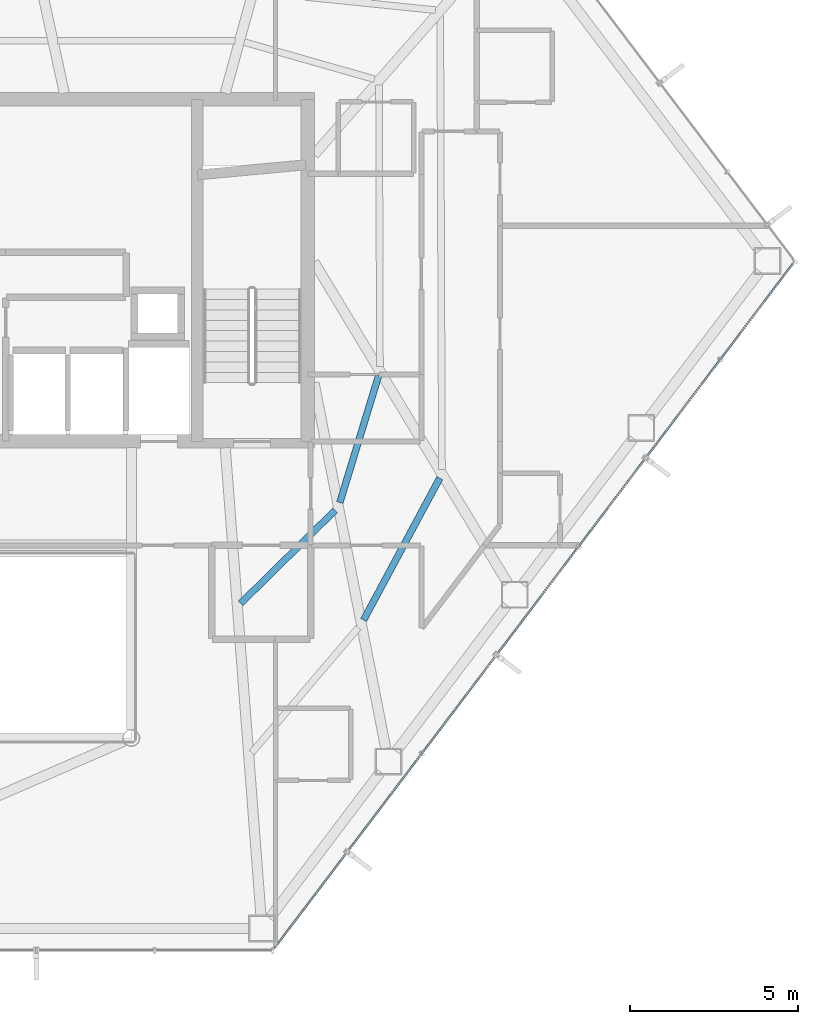
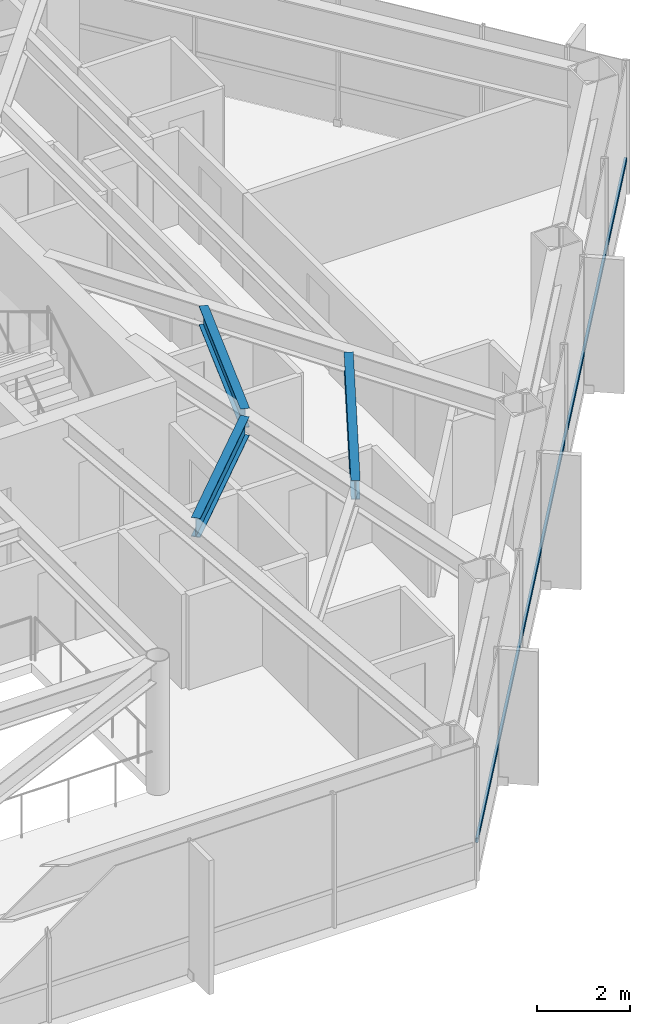
# One storey, part 18 of 28: 3 beams, 1 member, 1 element without a shape of its own.
"""IFC4 building model written with IfcOpenShell, lengths in metres."""

from ifc_helpers import new_model, si_unit, direction, frame, origin, origin_2d, place, context, subcontext, project, spatial, hollow_rectangle, i_section, extrude, material, layer, layer_set, material_profile, profile_set, type_object, element, aggregate, save


model = new_model("IFC4")

# Units and contexts
model_context = context("Model", 3, precision=1e-05, world=origin(), true_north=direction((0.0, 1.0)))
body_context = subcontext(model_context, "Body", "Model", "MODEL_VIEW")
ifc_project = project(units=[si_unit("LENGTHUNIT", "METRE"), si_unit("AREAUNIT", "SQUARE_METRE"), si_unit("VOLUMEUNIT", "CUBIC_METRE"), si_unit("PLANEANGLEUNIT", "RADIAN"), si_unit("MASSUNIT", "GRAM", prefix="KILO")], contexts=[model_context])

# Site, building, storey
site_placement = place(None, origin())
site = spatial("IfcSite", under=ifc_project, at=site_placement, CompositionType="ELEMENT")
building_placement = place(site_placement, origin())
building = spatial("IfcBuilding", under=site, at=building_placement, Name="Zarrinselat Tower", CompositionType="ELEMENT")
storey_placement = place(building_placement, frame((0.0, 0.0, 127.159912109375)))
storey = spatial("IfcBuildingStorey", under=building, at=storey_placement, Name="L30", CompositionType="ELEMENT", Elevation=127.159912109375)

# Beams
ifc_material_1 = material(Name="Steel S355J2", Category="steel")
ifc_material_profile_1 = material_profile(ifc_material_1, i_section(OverallWidth=0.199951171875, OverallDepth=0.5, WebThickness=0.01025390625, FlangeThickness=0.01611328125, at=origin_2d()), Name="IPE 500")
ifc_profile_set_1 = profile_set([ifc_material_profile_1], Name="Steel S355J2")
beam_type = type_object("IfcBeamType", Name="BM-IPE500", PredefinedType="JOIST", material=ifc_profile_set_1)
beam_1_placement = place(storey_placement, frame((46.26171875, 28.417724609375, 3.25), z_axis=(0.71233732768, 0.70183725435, 0.0), x_axis=(-0.70183725435, 0.71233732768, 0.0)))
element("IfcBeam", 1, at=beam_1_placement, inside=storey, type_object=beam_type, Name="L30 Composite Floor Joist 3-2", PredefinedType="JOIST", context=body_context, shape_type="SweptSolid", body=[
    extrude(i_section(OverallWidth=0.199951171875, OverallDepth=0.5, WebThickness=0.01025390625, FlangeThickness=0.01611328125, at=origin_2d()), origin(), (0.0, 0.0, 1.0), 3.95263671875),
])
beam_2_placement = place(storey_placement, frame((49.927978515625, 27.922119140625, 3.25), z_axis=(0.47300164135, 0.881061545682, 0.0), x_axis=(-0.881061545682, 0.47300164135, 0.0)))
element("IfcBeam", 2, at=beam_2_placement, inside=storey, type_object=beam_type, Name="L30 Composite Floor Joist 4-1", PredefinedType="JOIST", context=body_context, shape_type="SweptSolid", body=[
    extrude(i_section(OverallWidth=0.199951171875, OverallDepth=0.5, WebThickness=0.01025390625, FlangeThickness=0.01611328125, at=origin_2d()), origin(), (0.0, 0.0, 1.0), 4.80078125),
])
beam_3_placement = place(storey_placement, frame((49.21826171875, 31.42431640625, 3.25), z_axis=(0.292246754572, 0.956342948132, 0.0), x_axis=(-0.956342948132, 0.292246754572, 0.0)))
element("IfcBeam", 3, at=beam_3_placement, inside=storey, type_object=beam_type, Name="L30 Composite Floor Joist 4-2", PredefinedType="JOIST", context=body_context, shape_type="SweptSolid", body=[
    extrude(i_section(OverallWidth=0.199951171875, OverallDepth=0.5, WebThickness=0.01025390625, FlangeThickness=0.01611328125, at=origin_2d()), origin(), (0.0, 0.0, 1.0), 3.956298828125),
])

# Curtain wall, member
ifc_material_2 = material(Name="Extruded Aluminium Alloy EN AW-6063 T6", Category="aluminium")
ifc_layer = layer(ifc_material_2, 0.175048828125)
ifc_layer_set = layer_set([ifc_layer], Name="Extruded Aluminium Alloy EN AW-6063 T6")
curtain_wall_type = type_object("IfcCurtainWallType", Name="CWS-HTL", PredefinedType="NOTDEFINED", material=ifc_layer_set)
curtain_wall_placement = place(storey_placement, origin())
curtain_wall = element("IfcCurtainWall", 4, at=curtain_wall_placement, inside=storey, type_object=curtain_wall_type, Name="L30 Unitised Curtain Wall CW-L30-E05", PredefinedType="NOTDEFINED")
ifc_material_3 = material(Name="Extruded Aluminium Alloy EN AW-6063 T6", Category="aluminium")
ifc_material_profile_2 = material_profile(ifc_material_3, hollow_rectangle(XDim=0.06005859375, YDim=0.1201171875, WallThickness=0.00390625, at=origin_2d()), Name="RHS 120x60x4")
ifc_profile_set_2 = profile_set([ifc_material_profile_2], Name="Extruded Aluminium Alloy EN AW-6063 T6")
member_type = type_object("IfcMemberType", Name="MEM-CW-TRN2", PredefinedType="USERDEFINED", material=ifc_profile_set_2)
member_placement = place(storey_placement, frame((47.272216796875, 18.137939453125, 0.9501953125), z_axis=(0.603853834815, 0.797095067215, 0.0), x_axis=(-0.797095067215, 0.603853834815, 0.0)))
member = element("IfcMember", 5, at=member_placement, type_object=member_type, Name="CW-L30-E05 Transom 1", ObjectType="TRANSOM", PredefinedType="USERDEFINED", context=body_context, shape_type="SweptSolid", body=[
    extrude(hollow_rectangle(XDim=0.06005859375, YDim=0.1201171875, WallThickness=0.00390625, at=origin_2d()), origin(), (0.0, 0.0, 1.0), 25.617919921875),
])
aggregate(curtain_wall, [member])

save(model, "model.ifc")
